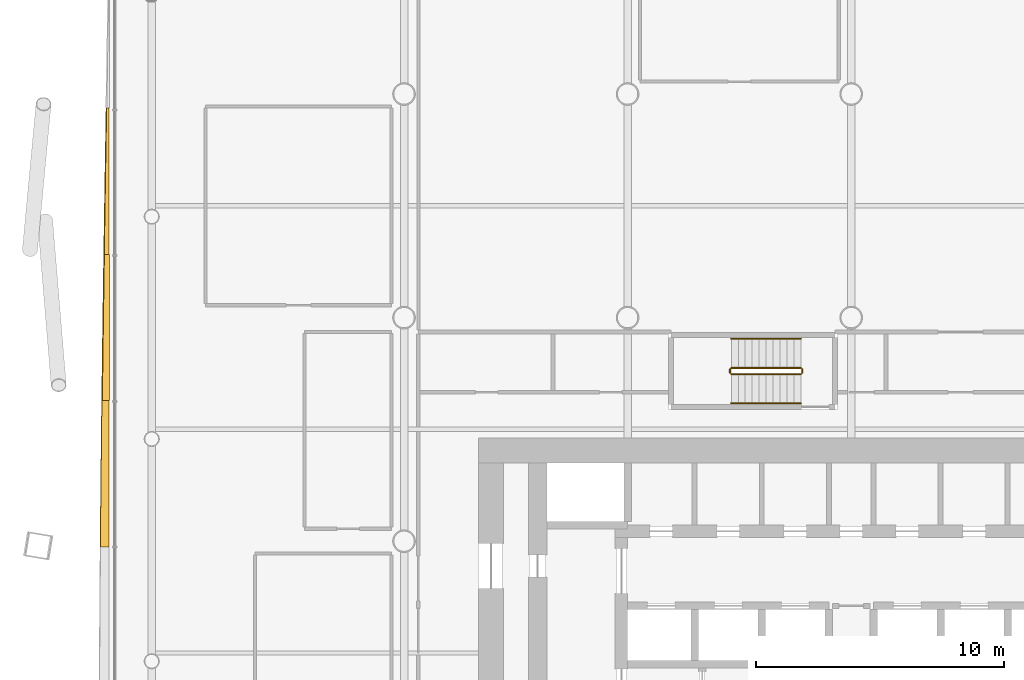
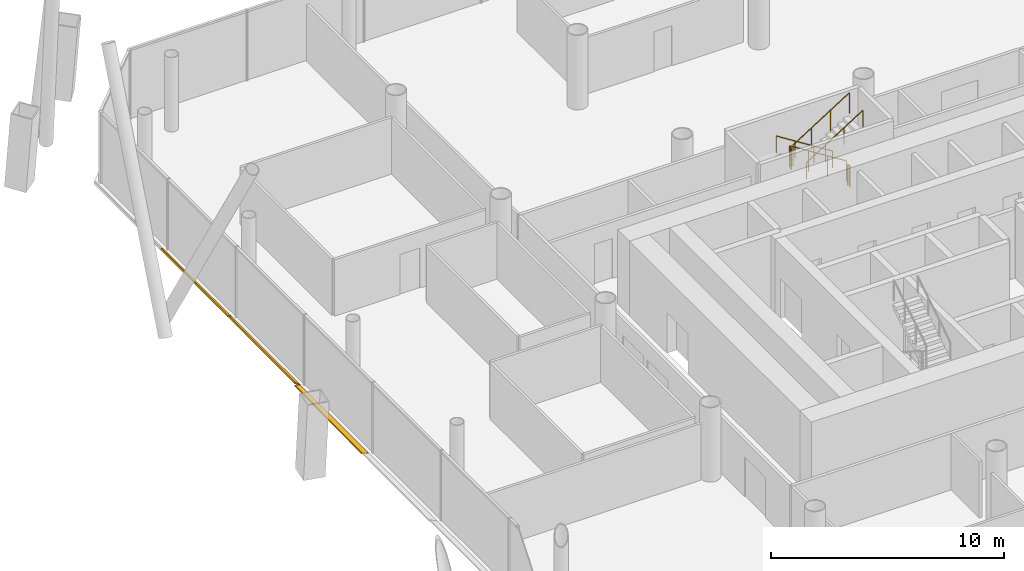
# One storey, part 24 of 25: 6 railings, 3 shading devices.
"""IFC4 building model written with IfcOpenShell, lengths in metres."""

import ifcopenshell
import ifcopenshell.guid

model = None  # the IFC model being written
_history = None  # IfcOwnerHistory: only IFC2X3 demands one
_inside = {}  # id of a spatial element -> (the spatial element, [elements in it])
_under = {}  # id of a project, library or spatial element -> (it, [spatial elements below it])
_declared = {}  # id of a project -> (the project, [libraries it declares])
_typed = {}  # id of a type object -> (the type object, [elements of that type])
_made_of = {}  # id of a material, layer set ... -> (it, [elements and type objects made of it])


def new_model(schema):
    """Start an empty IFC model of exactly this schema.

    Asked for "IFC4X3", IfcOpenShell would pick the latest addendum, in which some entities
    have other attributes; the version numbers below select the first issue.
    IFC2X3 requires an IfcOwnerHistory on every rooted entity: one is made here for all.
    """
    global model, _history
    if schema == "IFC4X3":
        model = ifcopenshell.file(schema_version=(4, 3, 0, 0))
    else:
        model = ifcopenshell.file(schema=schema)
    _inside.clear()
    _under.clear()
    _declared.clear()
    _typed.clear()
    _made_of.clear()
    _history = None
    if model.schema == "IFC2X3":
        org = make("IfcOrganization", Name="unknown")
        user = make(
            "IfcPersonAndOrganization",
            ThePerson=make("IfcPerson", FamilyName="unknown"),
            TheOrganization=org,
        )
        app = make(
            "IfcApplication",
            ApplicationDeveloper=org,
            Version="unknown",
            ApplicationFullName="unknown",
            ApplicationIdentifier="unknown",
        )
        _history = make(
            "IfcOwnerHistory",
            OwningUser=user,
            OwningApplication=app,
            ChangeAction="ADDED",
            CreationDate=0,
        )
    return model


def make(cls, **values):
    """One entity of the class cls with the attributes given. An attribute that is None is left unset."""
    return model.create_entity(
        cls, **{name: value for name, value in values.items() if value is not None}
    )


def rooted(cls, **values):
    """An entity with a GlobalId (a new one), such as an element, a storey or a relation."""
    return make(cls, GlobalId=ifcopenshell.guid.new(), OwnerHistory=_history, **values)


def si_unit(unit_type, name, prefix=None):
    """IfcSIUnit, for example si_unit("LENGTHUNIT", "METRE", prefix="MILLI")."""
    return make("IfcSIUnit", UnitType=unit_type, Prefix=prefix, Name=name)


def assignment(units):
    """IfcUnitAssignment: the units of a project."""
    return None if units is None else make("IfcUnitAssignment", Units=units)


def point(xyz):
    """IfcCartesianPoint."""
    return None if xyz is None else make("IfcCartesianPoint", Coordinates=xyz)


def direction(xyz):
    """IfcDirection."""
    return None if xyz is None else make("IfcDirection", DirectionRatios=xyz)


def frame(location, z_axis=None, x_axis=None):
    """IfcAxis2Placement3D, a coordinate frame: its origin and axes. An axis left out is left unset."""
    return make(
        "IfcAxis2Placement3D",
        Location=point(location),
        Axis=direction(z_axis),
        RefDirection=direction(x_axis),
    )


def frame_2d(location, x_axis=None):
    """IfcAxis2Placement2D, a coordinate frame in the plane: its origin and x axis."""
    return make(
        "IfcAxis2Placement2D", Location=point(location), RefDirection=direction(x_axis)
    )


def origin():
    """The frame at (0, 0, 0) with its axes left unset."""
    return frame((0.0, 0.0, 0.0))


def origin_2d():
    """The frame at (0, 0) in the plane with its x axis left unset."""
    return frame_2d((0.0, 0.0))


def place(relative_to, where):
    """IfcLocalPlacement: puts the frame where relative to a parent placement (None: the world)."""
    return make(
        "IfcLocalPlacement", PlacementRelTo=relative_to, RelativePlacement=where
    )


def context(
    kind, dimensions, precision=None, world=None, true_north=None, identifier=None
):
    """IfcGeometricRepresentationContext, for example the 3D "Model" context."""
    return make(
        "IfcGeometricRepresentationContext",
        ContextIdentifier=identifier,
        ContextType=kind,
        CoordinateSpaceDimension=dimensions,
        Precision=precision,
        WorldCoordinateSystem=world,
        TrueNorth=true_north,
    )


def subcontext(parent, identifier, kind, view, scale=None):
    """IfcGeometricRepresentationSubContext, for example "Body" below "Model"."""
    return make(
        "IfcGeometricRepresentationSubContext",
        ContextIdentifier=identifier,
        ContextType=kind,
        ParentContext=parent,
        TargetScale=scale,
        TargetView=view,
    )


def project(units=None, contexts=None):
    """IfcProject with its units and contexts."""
    return rooted(
        "IfcProject",
        Name="project",
        RepresentationContexts=contexts,
        UnitsInContext=assignment(units),
    )


def spatial(cls, under=None, at=None, **own):
    """A site, building, storey or space (cls), placed at a placement, below another one or the project."""
    s = rooted(cls, ObjectPlacement=at, **own)
    if under is not None:
        _under.setdefault(under.id(), (under, []))[1].append(s)
    return s


def polyline(points):
    """IfcPolyline through the points."""
    return make("IfcPolyline", Points=[point(p) for p in points])


def profile(cls, at=None, kind="AREA", **sizes):
    """A parametric profile (cls). Its sizes go by their IFC names, for example OverallWidth=200.0."""
    return make(cls, ProfileType=kind, Position=at, **sizes)


def circle(**sizes):
    """IfcCircleProfileDef."""
    return profile("IfcCircleProfileDef", **sizes)


def outline(outer, holes=None, kind="AREA"):
    """IfcArbitraryClosedProfileDef: a profile drawn as a closed curve; with holes, ...WithVoids."""
    if holes is None:
        return make("IfcArbitraryClosedProfileDef", ProfileType=kind, OuterCurve=outer)
    return make(
        "IfcArbitraryProfileDefWithVoids",
        ProfileType=kind,
        OuterCurve=outer,
        InnerCurves=holes,
    )


def extrude(swept, where, along, depth):
    """IfcExtrudedAreaSolid: the profile swept, set in the frame where, extruded along a direction by depth."""
    return make(
        "IfcExtrudedAreaSolid",
        SweptArea=swept,
        Position=where,
        ExtrudedDirection=direction(along),
        Depth=depth,
    )


def shape(context_of_items, identifier, shape_type, items):
    """IfcShapeRepresentation: the items that make up one representation, for example the "Body"."""
    return make(
        "IfcShapeRepresentation",
        ContextOfItems=context_of_items,
        RepresentationIdentifier=identifier,
        RepresentationType=shape_type,
        Items=items,
    )


def material(Name=None, Category=None):
    """IfcMaterial."""
    return make("IfcMaterial", Name=Name, Category=Category)


def layer(
    of_material, thickness, ventilated=None, Name=None, Category=None, Priority=None
):
    """IfcMaterialLayer: one layer of a wall or slab, of a material (None: an air gap)."""
    return make(
        "IfcMaterialLayer",
        Material=of_material,
        LayerThickness=thickness,
        IsVentilated=ventilated,
        Name=Name,
        Category=Category,
        Priority=Priority,
    )


def layer_set(layers, Name=None):
    """IfcMaterialLayerSet."""
    return make("IfcMaterialLayerSet", MaterialLayers=layers, LayerSetName=Name)


def made_of(thing, what):
    """Note that an element or type object is made of a material, layer set ...; save() writes the relation."""
    if what is not None:
        _made_of.setdefault(what.id(), (what, []))[1].append(thing)
    return thing


def type_object(cls, material=None, **own):
    """A type object (cls), such as IfcWallType, which elements share."""
    return made_of(rooted(cls, **own), material)


def element(
    cls,
    number,
    at=None,
    inside=None,
    cuts=None,
    type_object=None,
    material=None,
    context=None,
    identifier="Body",
    shape_type=None,
    held_by="IfcProductDefinitionShape",
    body=None,
    shapes=None,
    **own,
):
    """One element of the class cls, such as IfcWall. Its Tag is "e" and its number.

    at: its placement. inside: the storey or other place that contains it. cuts: it is an
    opening in that element (IfcRelVoidsElement). A single representation is given by context,
    identifier, shape_type and body (its items); several are given by shapes. held_by: the class
    of the entity that holds the representations. save() writes the other relations.
    """
    e = rooted(cls, Tag="e%d" % number, ObjectPlacement=at, **own)
    if body is not None:
        shapes = [shape(context, identifier, shape_type, body)]
    if shapes is not None:
        e.Representation = make(held_by, Representations=shapes)
    if inside is not None:
        _inside.setdefault(inside.id(), (inside, []))[1].append(e)
    if cuts is not None:
        rooted(
            "IfcRelVoidsElement", RelatingBuildingElement=cuts, RelatedOpeningElement=e
        )
    if type_object is not None:
        _typed.setdefault(type_object.id(), (type_object, []))[1].append(e)
    return made_of(e, material)


def aggregate(whole, parts):
    """IfcRelAggregates: a whole, such as a stair, and the parts it consists of."""
    return rooted("IfcRelAggregates", RelatingObject=whole, RelatedObjects=parts)


def save(model, path):
    """Write the relations noted so far, then the file.

    IfcRelAggregates (storeys below a building ...), IfcRelContainedInSpatialStructure (elements
    in a storey), IfcRelDefinesByType, IfcRelAssociatesMaterial and IfcRelDeclares: one each for
    every whole, place, type object, material and project.
    """
    for whole, parts in _under.values():
        aggregate(whole, parts)
    for where, things in _inside.values():
        rooted(
            "IfcRelContainedInSpatialStructure",
            RelatedElements=things,
            RelatingStructure=where,
        )
    for kind, things in _typed.values():
        rooted("IfcRelDefinesByType", RelatedObjects=things, RelatingType=kind)
    for what, things in _made_of.values():
        rooted("IfcRelAssociatesMaterial", RelatedObjects=things, RelatingMaterial=what)
    for by, libraries in _declared.values():
        rooted("IfcRelDeclares", RelatingContext=by, RelatedDefinitions=libraries)
    model.write(path)


model = new_model("IFC4")

# Units and contexts
model_context = context("Model", 3, precision=1e-05, world=origin(), true_north=direction((0.0, 1.0)))
body_context = subcontext(model_context, "Body", "Model", "MODEL_VIEW")
ifc_project = project(units=[si_unit("LENGTHUNIT", "METRE"), si_unit("AREAUNIT", "SQUARE_METRE"), si_unit("VOLUMEUNIT", "CUBIC_METRE"), si_unit("PLANEANGLEUNIT", "RADIAN"), si_unit("MASSUNIT", "GRAM", prefix="KILO")], contexts=[model_context])

# Site, building, storey
site_placement = place(None, origin())
site = spatial("IfcSite", under=ifc_project, at=site_placement, CompositionType="ELEMENT")
building_placement = place(site_placement, origin())
building = spatial("IfcBuilding", under=site, at=building_placement, Name="Tskaro Facet Tower", CompositionType="ELEMENT")
storey_placement = place(building_placement, frame((0.0, 0.0, 34.199951171875)))
storey = spatial("IfcBuildingStorey", under=building, at=storey_placement, Name="L07", CompositionType="ELEMENT", Elevation=34.199951171875)

# Shading devices
ifc_material_1 = material(Name="Bronze anodised aluminium 6063-T6", Category="aluminium")
ifc_layer = layer(ifc_material_1, 0.06005859375, Name="Bronze anodised aluminium 6063-T6")
ifc_layer_set = layer_set([ifc_layer], Name="Bronze anodised aluminium 6063-T6")
shading_device_type = type_object("IfcShadingDeviceType", Name="Bronze sun blade (FN1)", PredefinedType="USERDEFINED", material=ifc_layer_set)
shading_device_1_placement = place(storey_placement, frame((-29.86962890625, 17.444580078125, 0.04931640625), z_axis=(0.573198323457, 2.9949e-06, 0.819416671772), x_axis=(1.716671e-06, -0.999999999996, 2.454071e-06)))
element("IfcShadingDevice", 1, at=shading_device_1_placement, inside=storey, type_object=shading_device_type, Name="Fin blade west 2", ObjectType="FIN", PredefinedType="USERDEFINED", context=body_context, shape_type="SweptSolid", body=[
    extrude(outline(polyline([(0.0, 0.0), (5.894531249973564, 0.0), (5.89453124996457, -0.23894932378528452), (5.157714843824472, -0.2252687785576563), (4.420898437085235, -0.21144829233308976), (3.6840820311842175, -0.19722770031175788), (2.9472656246840616, -0.1828671672934877), (2.210449218603015, -0.16830658137683485), (1.4736328129410774, -0.15354594256179935), (0.7368164066800015, -0.13864536274982556), (-1.8021268683177328e-10, -0.12360484194091345), (0.0, 0.0)])), origin(), (0.0, 0.0, -1.0), 0.06005859375),
])
shading_device_2_placement = place(storey_placement, frame((-29.865478515625, 11.550048828125, 0.0458984375), z_axis=(0.643097631676, -6.542013e-06, 0.765784196814), x_axis=(-4.207153e-06, -0.999999999979, -5.00977e-06)))
element("IfcShadingDevice", 2, at=shading_device_2_placement, inside=storey, type_object=shading_device_type, Name="Fin blade west 3", ObjectType="FIN", PredefinedType="USERDEFINED", context=body_context, shape_type="SweptSolid", body=[
    extrude(outline(polyline([(0.0, 0.0), (5.894531249873863, 0.0), (5.894531249875118, -0.36216943072051944), (5.1577148437485105, -0.3500407872406308), (4.420898437817852, -0.3375681784705763), (3.6840820320831464, -0.32475160441035567), (2.947265624294167, -0.3115611122852764), (2.210449218951364, -0.2980566076447238), (1.4736328125814242, -0.28436514397174184), (0.7368164053802987, -0.2701427559761645), (-5.977381681506437e-10, -0.25576336172285047), (0.0, 0.0)])), origin(), (0.0, 0.0, -1.0), 0.06005859375),
])
shading_device_3_placement = place(storey_placement, frame((-29.883544921875, 5.655517578125, 0.056396484375), z_axis=(0.342195143007, 2.049306e-06, 0.939628907653), x_axis=(7.01263e-07, -0.999999999998, 1.925587e-06)))
element("IfcShadingDevice", 3, at=shading_device_3_placement, inside=storey, type_object=shading_device_type, Name="Fin blade west 4", ObjectType="FIN", PredefinedType="USERDEFINED", context=body_context, shape_type="SweptSolid", body=[
    extrude(outline(polyline([(0.0, 0.0), (5.894531249987623, 0.0), (5.89453125014345, -0.362226032695247), (5.1577148438164375, -0.3551967524372449), (4.420898437361722, -0.3476251252655908), (3.684082031078216, -0.33982409650515355), (2.9472656251371228, -0.3315642645671502), (2.2104492188971214, -0.32299148730427785), (1.4736328123582132, -0.3141057647165365), (0.736816406161718, -0.30476123895122903), (1.3642960454106273e-10, -0.29518731159713846), (0.0, 0.0)])), origin(), (0.0, 0.0, -1.0), 0.06005859375),
])

# Railings
ifc_material_2 = material(Name="Stainless steel", Category="steel")
railing_type_1 = type_object("IfcRailingType", Name="RL-GUARD-1100", PredefinedType="GUARDRAIL", material=ifc_material_2)
railing_1_placement = place(storey_placement, frame((-2.02490234375, 6.97509765625, 0.17724609375)))
element("IfcRailing", 4, at=railing_1_placement, inside=storey, type_object=railing_type_1, Name="L07 ST-3 stair guard 1", PredefinedType="GUARDRAIL", context=body_context, shape_type="SweptSolid", body=[
    extrude(circle(Radius=0.02392578125, at=origin_2d()), frame((0.0, 0.0, 1.076171875), z_axis=(-0.844908973607, 0.0, 0.534910110503), x_axis=(0.0, -1.0, 0.0)), (0.0, 0.0, 1.0), 3.31396484375),
    extrude(circle(Radius=0.02099609375, at=origin_2d()), origin(), (0.0, 0.0, 1.0), 1.052001953125),
    extrude(circle(Radius=0.02099609375, at=origin_2d()), frame((-0.933349609375, 0.0, 0.5908203125)), (0.0, 0.0, 1.0), 1.052001953125),
    extrude(circle(Radius=0.02099609375, at=origin_2d()), frame((-1.86669921875, 0.0, 1.181884765625)), (0.0, 0.0, 1.0), 1.052001953125),
    extrude(circle(Radius=0.02099609375, at=origin_2d()), frame((-2.800048828125, 0.0, 1.772705078125)), (0.0, 0.0, 1.0), 1.052001953125),
])
railing_2_placement = place(storey_placement, frame((-4.875, 6.925048828125, 1.949951171875)))
element("IfcRailing", 5, at=railing_2_placement, inside=storey, type_object=railing_type_1, Name="L07 ST-3 stair guard 2", PredefinedType="GUARDRAIL", context=body_context, shape_type="SweptSolid", body=[
    extrude(circle(Radius=0.02392578125, at=origin_2d()), frame((0.0, 0.0, 1.076171875), z_axis=(0.0, -1.0, 0.0), x_axis=(1.0, 0.0, 0.0)), (0.0, 0.0, 1.0), 0.150146484375),
    extrude(circle(Radius=0.02099609375, at=origin_2d()), origin(), (0.0, 0.0, 1.0), 1.052001953125),
    extrude(circle(Radius=0.02099609375, at=origin_2d()), frame((0.0, -0.150146484375, 0.0)), (0.0, 0.0, 1.0), 1.052001953125),
])
railing_3_placement = place(storey_placement, frame((-4.824951171875, 6.72509765625, 2.12744140625)))
element("IfcRailing", 6, at=railing_3_placement, inside=storey, type_object=railing_type_1, Name="L07 ST-3 stair guard 3", PredefinedType="GUARDRAIL", context=body_context, shape_type="SweptSolid", body=[
    extrude(circle(Radius=0.02392578125, at=origin_2d()), frame((0.0, 0.0, 1.076171875), z_axis=(0.844908973607, 0.0, 0.534910110503), x_axis=(0.0, 1.0, 0.0)), (0.0, 0.0, 1.0), 3.31396484375),
    extrude(circle(Radius=0.02099609375, at=origin_2d()), origin(), (0.0, 0.0, 1.0), 1.052001953125),
    extrude(circle(Radius=0.02099609375, at=origin_2d()), frame((0.933349609375, 0.0, 0.5908203125)), (0.0, 0.0, 1.0), 1.052001953125),
    extrude(circle(Radius=0.02099609375, at=origin_2d()), frame((1.86669921875, 0.0, 1.181884765625)), (0.0, 0.0, 1.0), 1.052001953125),
    extrude(circle(Radius=0.02099609375, at=origin_2d()), frame((2.800048828125, 0.0, 1.772705078125)), (0.0, 0.0, 1.0), 1.052001953125),
])
railing_4_placement = place(storey_placement, frame((-1.97509765625, 6.925048828125, 0.0)))
element("IfcRailing", 7, at=railing_4_placement, inside=storey, type_object=railing_type_1, Name="L07 ST-3 stair guard 4", PredefinedType="GUARDRAIL", context=body_context, shape_type="SweptSolid", body=[
    extrude(circle(Radius=0.02392578125, at=origin_2d()), frame((0.0, 0.0, 1.076171875), z_axis=(0.0, -1.0, 0.0), x_axis=(1.0, 0.0, 0.0)), (0.0, 0.0, 1.0), 0.150146484375),
    extrude(circle(Radius=0.02099609375, at=origin_2d()), origin(), (0.0, 0.0, 1.0), 1.052001953125),
    extrude(circle(Radius=0.02099609375, at=origin_2d()), frame((0.0, -0.150146484375, 0.0)), (0.0, 0.0, 1.0), 1.052001953125),
])
railing_type_2 = type_object("IfcRailingType", Name="RL-HANDRAIL-900", PredefinedType="HANDRAIL", material=ifc_material_2)
railing_5_placement = place(storey_placement, frame((-2.02490234375, 8.14990234375, 0.17724609375)))
element("IfcRailing", 8, at=railing_5_placement, inside=storey, type_object=railing_type_2, Name="L07 ST-3 stair handrail 1", PredefinedType="HANDRAIL", context=body_context, shape_type="SweptSolid", body=[
    extrude(circle(Radius=0.02392578125, at=origin_2d()), frame((0.0, 0.0, 0.8759765625), z_axis=(-0.844908973607, 0.0, 0.534910110503), x_axis=(0.0, -1.0, 0.0)), (0.0, 0.0, 1.0), 3.31396484375),
    extrude(circle(Radius=0.02099609375, at=origin_2d()), origin(), (0.0, 0.0, 1.0), 0.851806640625),
    extrude(circle(Radius=0.02099609375, at=origin_2d()), frame((-0.933349609375, 0.0, 0.5908203125)), (0.0, 0.0, 1.0), 0.851806640625),
    extrude(circle(Radius=0.02099609375, at=origin_2d()), frame((-1.86669921875, 0.0, 1.181884765625)), (0.0, 0.0, 1.0), 0.851806640625),
    extrude(circle(Radius=0.02099609375, at=origin_2d()), frame((-2.800048828125, 0.0, 1.772705078125)), (0.0, 0.0, 1.0), 0.851806640625),
])
railing_6_placement = place(storey_placement, frame((-4.824951171875, 5.550048828125, 2.12744140625)))
element("IfcRailing", 9, at=railing_6_placement, inside=storey, type_object=railing_type_2, Name="L07 ST-3 stair handrail 2", PredefinedType="HANDRAIL", context=body_context, shape_type="SweptSolid", body=[
    extrude(circle(Radius=0.02392578125, at=origin_2d()), frame((0.0, 0.0, 0.8759765625), z_axis=(0.844908973607, 0.0, 0.534910110503), x_axis=(0.0, 1.0, 0.0)), (0.0, 0.0, 1.0), 3.31396484375),
    extrude(circle(Radius=0.02099609375, at=origin_2d()), origin(), (0.0, 0.0, 1.0), 0.851806640625),
    extrude(circle(Radius=0.02099609375, at=origin_2d()), frame((0.933349609375, 0.0, 0.5908203125)), (0.0, 0.0, 1.0), 0.851806640625),
    extrude(circle(Radius=0.02099609375, at=origin_2d()), frame((1.86669921875, 0.0, 1.181884765625)), (0.0, 0.0, 1.0), 0.851806640625),
    extrude(circle(Radius=0.02099609375, at=origin_2d()), frame((2.800048828125, 0.0, 1.772705078125)), (0.0, 0.0, 1.0), 0.851806640625),
])

save(model, "model.ifc")
